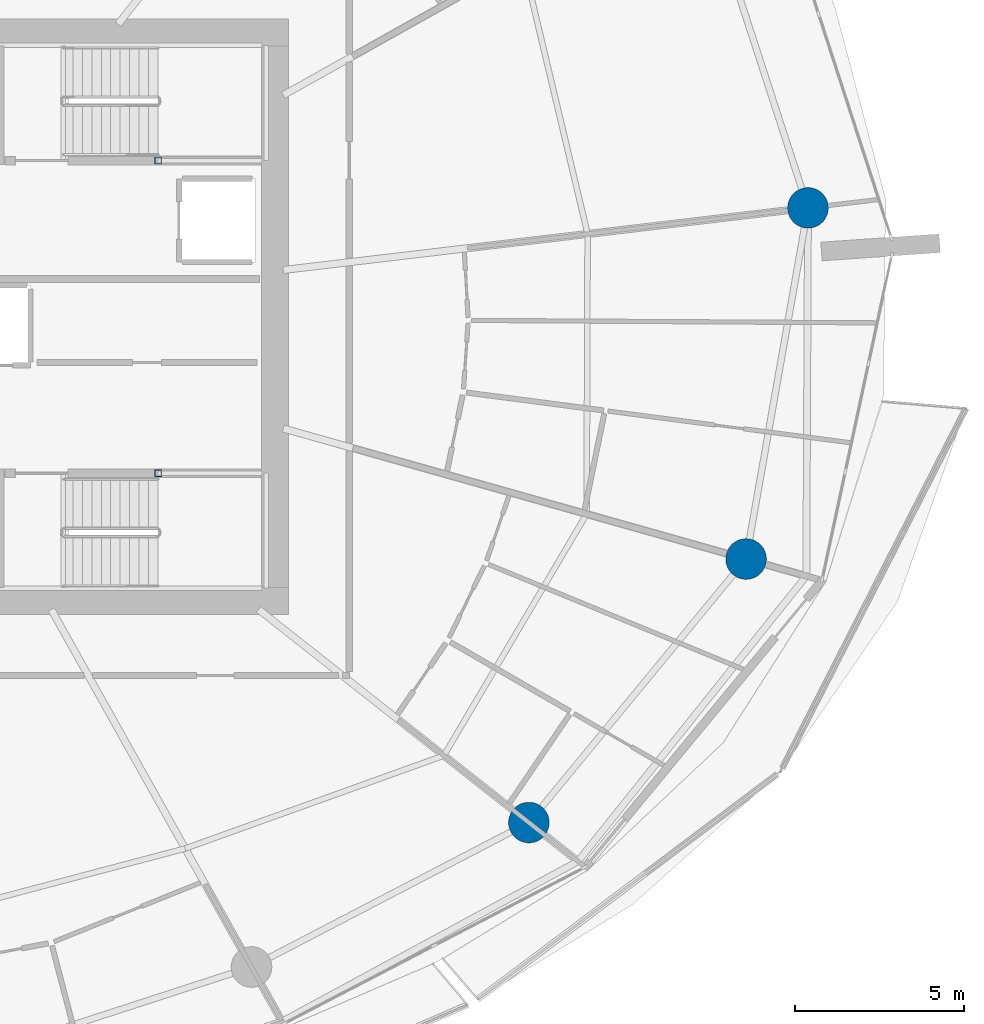
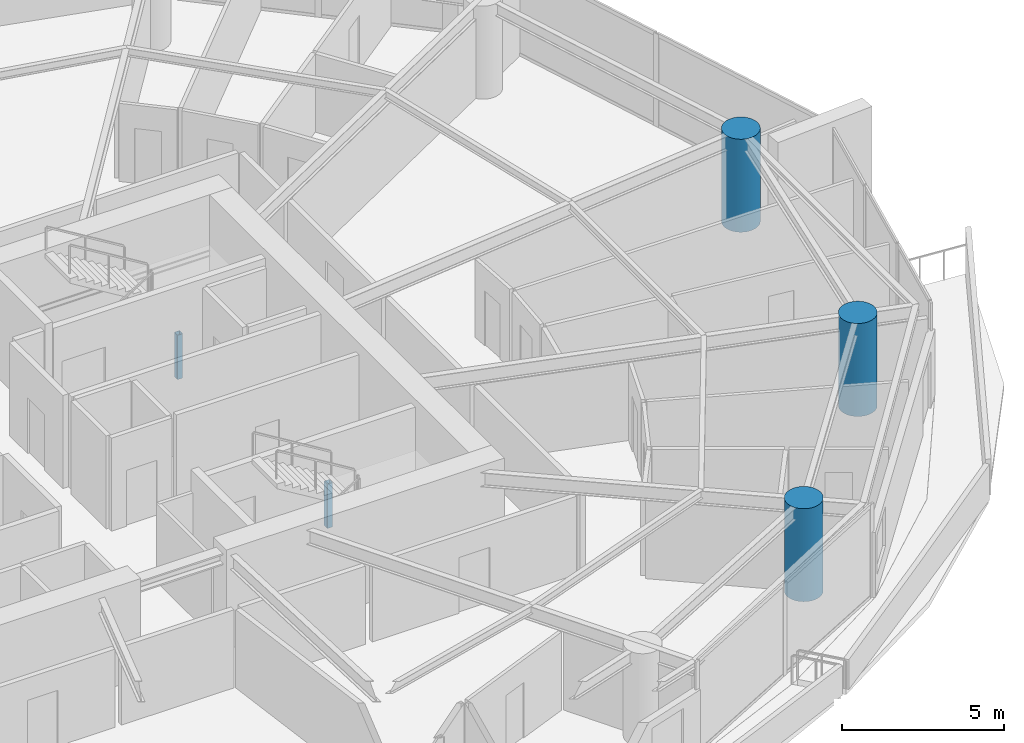
# One storey, part 3 of 23: 5 columns.
"""IFC4 building model written with IfcOpenShell, lengths in metres."""

from ifc_helpers import new_model, si_unit, direction, frame, origin, origin_2d, place, context, subcontext, project, spatial, hollow_rectangle, circle, extrude, material, material_profile, profile_set, type_object, element, save


model = new_model("IFC4")

# Units and contexts
model_context = context("Model", 3, precision=1e-05, world=origin(), true_north=direction((0.0, 1.0)))
body_context = subcontext(model_context, "Body", "Model", "MODEL_VIEW")
ifc_project = project(units=[si_unit("LENGTHUNIT", "METRE"), si_unit("AREAUNIT", "SQUARE_METRE"), si_unit("VOLUMEUNIT", "CUBIC_METRE"), si_unit("PLANEANGLEUNIT", "RADIAN"), si_unit("MASSUNIT", "GRAM", prefix="KILO")], contexts=[model_context])

# Site, building, storey
site_placement = place(None, origin())
site = spatial("IfcSite", under=ifc_project, at=site_placement, CompositionType="ELEMENT")
building_placement = place(site_placement, origin())
building = spatial("IfcBuilding", under=site, at=building_placement, Name="Kazma Halo Residences", CompositionType="ELEMENT")
storey_placement = place(building_placement, frame((0.0, 0.0, 82.64990234375)))
storey = spatial("IfcBuildingStorey", under=building, at=storey_placement, Name="L20", CompositionType="ELEMENT", Elevation=82.64990234375)

# Columns
ifc_material_1 = material(Name="Steel S355", Category="steel")
ifc_material_profile_1 = material_profile(ifc_material_1, hollow_rectangle(XDim=0.199951171875, YDim=0.199951171875, WallThickness=0.010009765625, InnerFilletRadius=0.010009765625, OuterFilletRadius=0.02001953125, at=origin_2d()), Name="SHS200x200x10")
ifc_profile_set_1 = profile_set([ifc_material_profile_1], Name="Steel S355")
column_type_1 = type_object("IfcColumnType", Name="COL-LP-SHS200", PredefinedType="COLUMN", material=ifc_profile_set_1)
for number, where, z_axis, x_axis, name in (
    (1, (56.0, 46.6201171875, 0.0), (0.0, 0.0, 1.0), (1.0, 0.0, 0.0), "L20 ST-02 landing pilaster 1"),
    (2, (56.0, 37.3798828125, 0.0), (0.0, 0.0, 1.0), (1.0, 0.0, 0.0), "L20 ST-03 landing pilaster 1"),
):
    element("IfcColumn", number, at=place(storey_placement, frame(where, z_axis=z_axis, x_axis=x_axis)), inside=storey, type_object=column_type_1, Name=name, PredefinedType="COLUMN", context=body_context, shape_type="SweptSolid", body=[
        extrude(hollow_rectangle(XDim=0.199951171875, YDim=0.199951171875, WallThickness=0.010009765625, InnerFilletRadius=0.010009765625, OuterFilletRadius=0.02001953125, at=origin_2d()), origin(), (0.0, 0.0, 1.0), 1.670166015625),
    ])
ifc_material_2 = material(Name="Concrete C80/95", Category="concrete")
ifc_material_profile_2 = material_profile(ifc_material_2, circle(Radius=0.60009765625, at=origin_2d()), Name="CIRC1200")
ifc_profile_set_2 = profile_set([ifc_material_profile_2], Name="Concrete C80/95")
column_type_2 = type_object("IfcColumnType", Name="COL-PERIM-1200", PredefinedType="COLUMN", material=ifc_profile_set_2)
for number, where, z_axis, x_axis, name in (
    (3, (66.9580078125, 27.0546875, 0.0), (0.0, 0.0, 1.0), (1.0, 0.0, 0.0), "L20 perimeter ring column P14"),
    (4, (73.376708984375, 34.843017578125, 0.0), (0.0, 0.0, 1.0), (1.0, 0.0, 0.0), "L20 perimeter ring column P15"),
    (5, (75.20654296875, 45.22021484375, 0.0), (0.0, 0.0, 1.0), (1.0, 0.0, 0.0), "L20 perimeter ring column P16"),
):
    element("IfcColumn", number, at=place(storey_placement, frame(where, z_axis=z_axis, x_axis=x_axis)), inside=storey, type_object=column_type_2, Name=name, PredefinedType="COLUMN", context=body_context, shape_type="SweptSolid", body=[
        extrude(circle(Radius=0.60009765625, at=origin_2d()), origin(), (0.0, 0.0, 1.0), 3.5),
    ])

save(model, "model.ifc")
